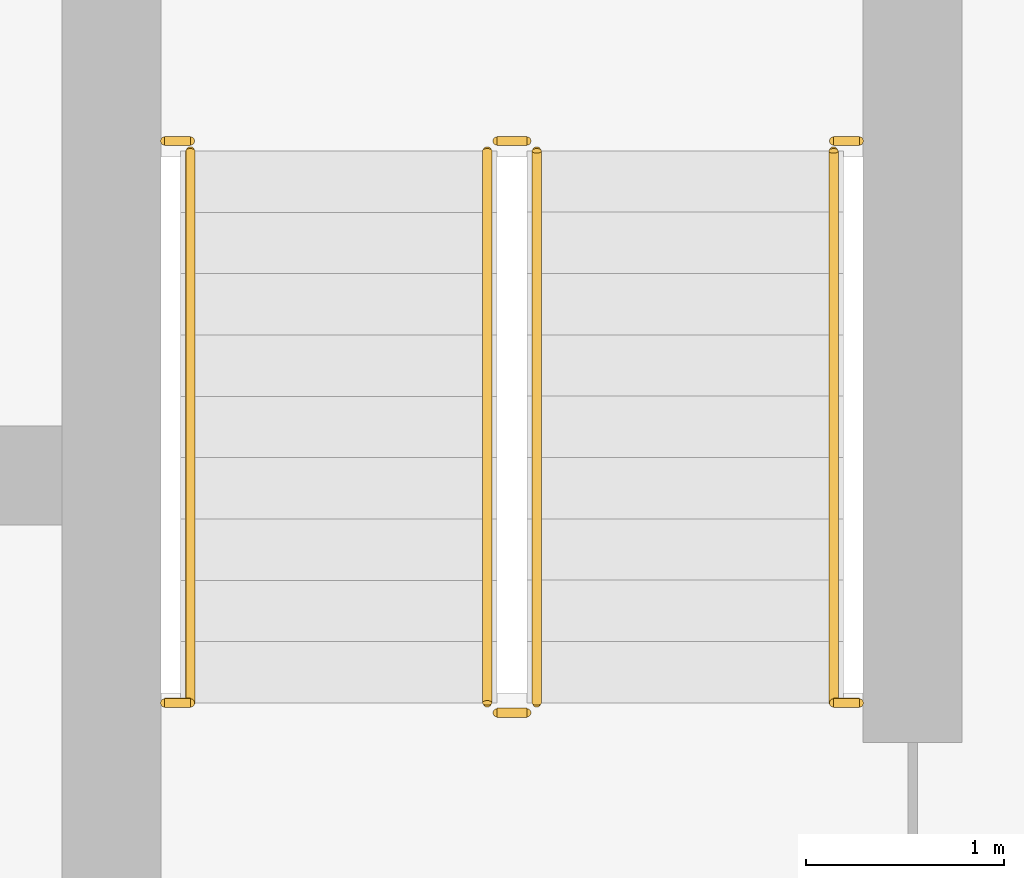
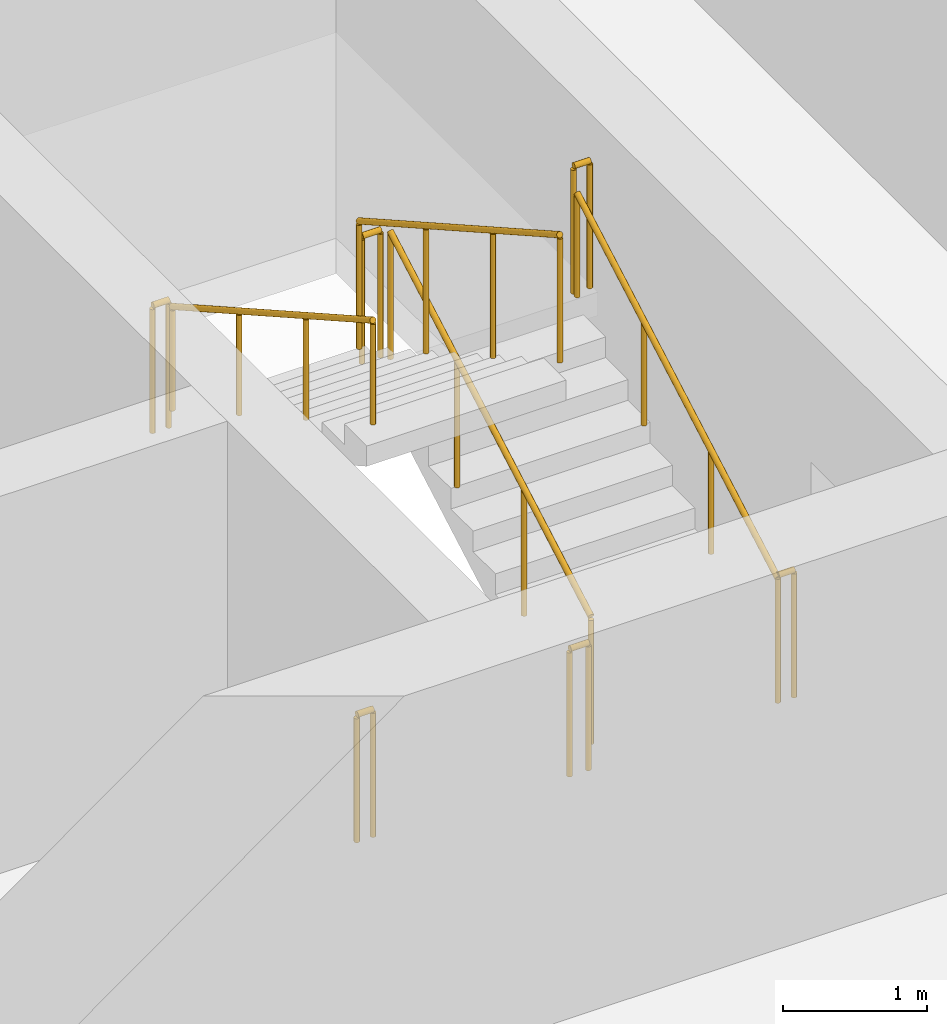
# One storey, part 19 of 21: 10 railings.
"""IFC4 building model written with IfcOpenShell, lengths in metres."""

from ifc_helpers import new_model, si_unit, direction, frame, origin, origin_2d, place, context, subcontext, project, spatial, circle, extrude, material, type_object, element, save


model = new_model("IFC4")

# Units and contexts
model_context = context("Model", 3, precision=1e-05, world=origin(), true_north=direction((0.0, 1.0)))
body_context = subcontext(model_context, "Body", "Model", "MODEL_VIEW")
ifc_project = project(units=[si_unit("LENGTHUNIT", "METRE"), si_unit("AREAUNIT", "SQUARE_METRE"), si_unit("VOLUMEUNIT", "CUBIC_METRE"), si_unit("PLANEANGLEUNIT", "RADIAN"), si_unit("MASSUNIT", "GRAM", prefix="KILO")], contexts=[model_context])

# Site, building, storey
site_placement = place(None, origin())
site = spatial("IfcSite", under=ifc_project, at=site_placement, CompositionType="ELEMENT")
building_placement = place(site_placement, origin())
building = spatial("IfcBuilding", under=site, at=building_placement, Name="Madar Terraces", CompositionType="ELEMENT")
storey_placement = place(building_placement, frame((0.0, 0.0, 185.89990234375)))
storey = spatial("IfcBuildingStorey", under=building, at=storey_placement, Name="L48", CompositionType="ELEMENT", Elevation=185.89990234375)

# Railings
ifc_material_1 = material(Name="Stainless steel railing", Category="steel")
railing_type_1 = type_object("IfcRailingType", Name="Stair guard 1100", PredefinedType="GUARDRAIL", material=ifc_material_1)
railing_1_placement = place(storey_placement, frame((41.449951171875, 17.60009765625, 0.175048828125)))
element("IfcRailing", 1, at=railing_1_placement, inside=storey, type_object=railing_type_1, Name="L48 ST3 stair guard 1", PredefinedType="GUARDRAIL", context=body_context, shape_type="SweptSolid", body=[
    extrude(circle(Radius=0.02392578125, at=origin_2d()), frame((0.0, 0.0, 1.076171875), z_axis=(0.0, 0.870815363784, 0.491610213684), x_axis=(-1.0, 0.0, 0.0)), (0.0, 0.0, 1.0), 3.20361328125),
    extrude(circle(Radius=0.02099609375, at=origin_2d()), origin(), (0.0, 0.0, 1.0), 1.052001953125),
    extrude(circle(Radius=0.02099609375, at=origin_2d()), frame((0.0, 0.929931640625, 0.52490234375)), (0.0, 0.0, 1.0), 1.052001953125),
    extrude(circle(Radius=0.02099609375, at=origin_2d()), frame((0.0, 1.85986328125, 1.050048828125)), (0.0, 0.0, 1.0), 1.052001953125),
    extrude(circle(Radius=0.02099609375, at=origin_2d()), frame((0.0, 2.789794921875, 1.574951171875)), (0.0, 0.0, 1.0), 1.052001953125),
])
railing_2_placement = place(storey_placement, frame((41.39990234375, 20.43994140625, 1.75)))
element("IfcRailing", 2, at=railing_2_placement, inside=storey, type_object=railing_type_1, Name="L48 ST3 stair guard 2", PredefinedType="GUARDRAIL", context=body_context, shape_type="SweptSolid", body=[
    extrude(circle(Radius=0.02392578125, at=origin_2d()), frame((0.0, 0.0, 1.076171875), z_axis=(-1.0, 0.0, 0.0), x_axis=(0.0, -1.0, 0.0)), (0.0, 0.0, 1.0), 0.14990234375),
    extrude(circle(Radius=0.02099609375, at=origin_2d()), origin(), (0.0, 0.0, 1.0), 1.052001953125),
    extrude(circle(Radius=0.02099609375, at=origin_2d()), frame((-0.14990234375, 0.0, 0.0)), (0.0, 0.0, 1.0), 1.052001953125),
])
railing_3_placement = place(storey_placement, frame((41.199951171875, 20.389892578125, 1.925048828125)))
element("IfcRailing", 3, at=railing_3_placement, inside=storey, type_object=railing_type_1, Name="L48 ST3 stair guard 3", PredefinedType="GUARDRAIL", context=body_context, shape_type="SweptSolid", body=[
    extrude(circle(Radius=0.02392578125, at=origin_2d()), frame((0.0, 0.0, 1.076171875), z_axis=(0.0, -0.870815363784, 0.491610213684), x_axis=(1.0, 0.0, 0.0)), (0.0, 0.0, 1.0), 3.20361328125),
    extrude(circle(Radius=0.02099609375, at=origin_2d()), origin(), (0.0, 0.0, 1.0), 1.052001953125),
    extrude(circle(Radius=0.02099609375, at=origin_2d()), frame((0.0, -0.929931640625, 0.52490234375)), (0.0, 0.0, 1.0), 1.052001953125),
    extrude(circle(Radius=0.02099609375, at=origin_2d()), frame((0.0, -1.85986328125, 1.050048828125)), (0.0, 0.0, 1.0), 1.052001953125),
    extrude(circle(Radius=0.02099609375, at=origin_2d()), frame((0.0, -2.789794921875, 1.574951171875)), (0.0, 0.0, 1.0), 1.052001953125),
])
railing_4_placement = place(storey_placement, frame((41.39990234375, 17.550048828125, 0.0)))
element("IfcRailing", 4, at=railing_4_placement, inside=storey, type_object=railing_type_1, Name="L48 ST3 stair guard 4", PredefinedType="GUARDRAIL", context=body_context, shape_type="SweptSolid", body=[
    extrude(circle(Radius=0.02392578125, at=origin_2d()), frame((0.0, 0.0, 1.076171875), z_axis=(-1.0, 0.0, 0.0), x_axis=(0.0, -1.0, 0.0)), (0.0, 0.0, 1.0), 0.14990234375),
    extrude(circle(Radius=0.02099609375, at=origin_2d()), origin(), (0.0, 0.0, 1.0), 1.052001953125),
    extrude(circle(Radius=0.02099609375, at=origin_2d()), frame((-0.14990234375, 0.0, 0.0)), (0.0, 0.0, 1.0), 1.052001953125),
])
railing_5_placement = place(storey_placement, frame((39.570068359375, 20.43994140625, 1.75)))
element("IfcRailing", 5, at=railing_5_placement, inside=storey, type_object=railing_type_1, Name="L48 stair guard seat 1", PredefinedType="GUARDRAIL", context=body_context, shape_type="SweptSolid", body=[
    extrude(circle(Radius=0.02392578125, at=origin_2d()), frame((0.0, 0.0, 1.076171875), z_axis=(1.0, 0.0, 0.0), x_axis=(0.0, 1.0, 0.0)), (0.0, 0.0, 1.0), 0.1298828125),
    extrude(circle(Radius=0.02099609375, at=origin_2d()), origin(), (0.0, 0.0, 1.0), 1.052001953125),
    extrude(circle(Radius=0.02099609375, at=origin_2d()), frame((0.1298828125, 0.0, 0.0)), (0.0, 0.0, 1.0), 1.052001953125),
])
railing_6_placement = place(storey_placement, frame((42.949951171875, 20.43994140625, 1.75)))
element("IfcRailing", 6, at=railing_6_placement, inside=storey, type_object=railing_type_1, Name="L48 stair guard seat 2", PredefinedType="GUARDRAIL", context=body_context, shape_type="SweptSolid", body=[
    extrude(circle(Radius=0.02392578125, at=origin_2d()), frame((0.0, 0.0, 1.076171875), z_axis=(1.0, 0.0, 0.0), x_axis=(0.0, 1.0, 0.0)), (0.0, 0.0, 1.0), 0.130126953125),
    extrude(circle(Radius=0.02099609375, at=origin_2d()), origin(), (0.0, 0.0, 1.0), 1.052001953125),
    extrude(circle(Radius=0.02099609375, at=origin_2d()), frame((0.130126953125, 0.0, 0.0)), (0.0, 0.0, 1.0), 1.052001953125),
])
railing_7_placement = place(storey_placement, frame((39.570068359375, 17.60009765625, 0.0)))
element("IfcRailing", 7, at=railing_7_placement, inside=storey, type_object=railing_type_1, Name="L48 stair guard floor 1", PredefinedType="GUARDRAIL", context=body_context, shape_type="SweptSolid", body=[
    extrude(circle(Radius=0.02392578125, at=origin_2d()), frame((0.0, 0.0, 1.076171875), z_axis=(1.0, 0.0, 0.0), x_axis=(0.0, 1.0, 0.0)), (0.0, 0.0, 1.0), 0.1298828125),
    extrude(circle(Radius=0.02099609375, at=origin_2d()), origin(), (0.0, 0.0, 1.0), 1.052001953125),
    extrude(circle(Radius=0.02099609375, at=origin_2d()), frame((0.1298828125, 0.0, 0.0)), (0.0, 0.0, 1.0), 1.052001953125),
])
railing_8_placement = place(storey_placement, frame((42.949951171875, 17.60009765625, 0.0)))
element("IfcRailing", 8, at=railing_8_placement, inside=storey, type_object=railing_type_1, Name="L48 stair guard floor 2", PredefinedType="GUARDRAIL", context=body_context, shape_type="SweptSolid", body=[
    extrude(circle(Radius=0.02392578125, at=origin_2d()), frame((0.0, 0.0, 1.076171875), z_axis=(1.0, 0.0, 0.0), x_axis=(0.0, 1.0, 0.0)), (0.0, 0.0, 1.0), 0.130126953125),
    extrude(circle(Radius=0.02099609375, at=origin_2d()), origin(), (0.0, 0.0, 1.0), 1.052001953125),
    extrude(circle(Radius=0.02099609375, at=origin_2d()), frame((0.130126953125, 0.0, 0.0)), (0.0, 0.0, 1.0), 1.052001953125),
])
ifc_material_2 = material(Name="Stainless steel railing", Category="steel")
railing_type_2 = type_object("IfcRailingType", Name="Stair handrail 900", PredefinedType="HANDRAIL", material=ifc_material_2)
railing_9_placement = place(storey_placement, frame((42.949951171875, 17.60009765625, 0.175048828125)))
element("IfcRailing", 9, at=railing_9_placement, inside=storey, type_object=railing_type_2, Name="L48 ST3 stair handrail 1", PredefinedType="HANDRAIL", context=body_context, shape_type="SweptSolid", body=[
    extrude(circle(Radius=0.02392578125, at=origin_2d()), frame((0.0, 0.0, 0.8759765625), z_axis=(0.0, 0.870815363784, 0.491610213684), x_axis=(-1.0, 0.0, 0.0)), (0.0, 0.0, 1.0), 3.20361328125),
    extrude(circle(Radius=0.02099609375, at=origin_2d()), origin(), (0.0, 0.0, 1.0), 0.851806640625),
    extrude(circle(Radius=0.02099609375, at=origin_2d()), frame((0.0, 0.929931640625, 0.52490234375)), (0.0, 0.0, 1.0), 0.851806640625),
    extrude(circle(Radius=0.02099609375, at=origin_2d()), frame((0.0, 1.85986328125, 1.050048828125)), (0.0, 0.0, 1.0), 0.851806640625),
    extrude(circle(Radius=0.02099609375, at=origin_2d()), frame((0.0, 2.789794921875, 1.574951171875)), (0.0, 0.0, 1.0), 0.851806640625),
])
railing_10_placement = place(storey_placement, frame((39.699951171875, 20.389892578125, 1.925048828125)))
element("IfcRailing", 10, at=railing_10_placement, inside=storey, type_object=railing_type_2, Name="L48 ST3 stair handrail 2", PredefinedType="HANDRAIL", context=body_context, shape_type="SweptSolid", body=[
    extrude(circle(Radius=0.02392578125, at=origin_2d()), frame((0.0, 0.0, 0.8759765625), z_axis=(0.0, -0.870815363784, 0.491610213684), x_axis=(1.0, 0.0, 0.0)), (0.0, 0.0, 1.0), 3.20361328125),
    extrude(circle(Radius=0.02099609375, at=origin_2d()), origin(), (0.0, 0.0, 1.0), 0.851806640625),
    extrude(circle(Radius=0.02099609375, at=origin_2d()), frame((0.0, -0.929931640625, 0.52490234375)), (0.0, 0.0, 1.0), 0.851806640625),
    extrude(circle(Radius=0.02099609375, at=origin_2d()), frame((0.0, -1.85986328125, 1.050048828125)), (0.0, 0.0, 1.0), 0.851806640625),
    extrude(circle(Radius=0.02099609375, at=origin_2d()), frame((0.0, -2.789794921875, 1.574951171875)), (0.0, 0.0, 1.0), 0.851806640625),
])

save(model, "model.ifc")
